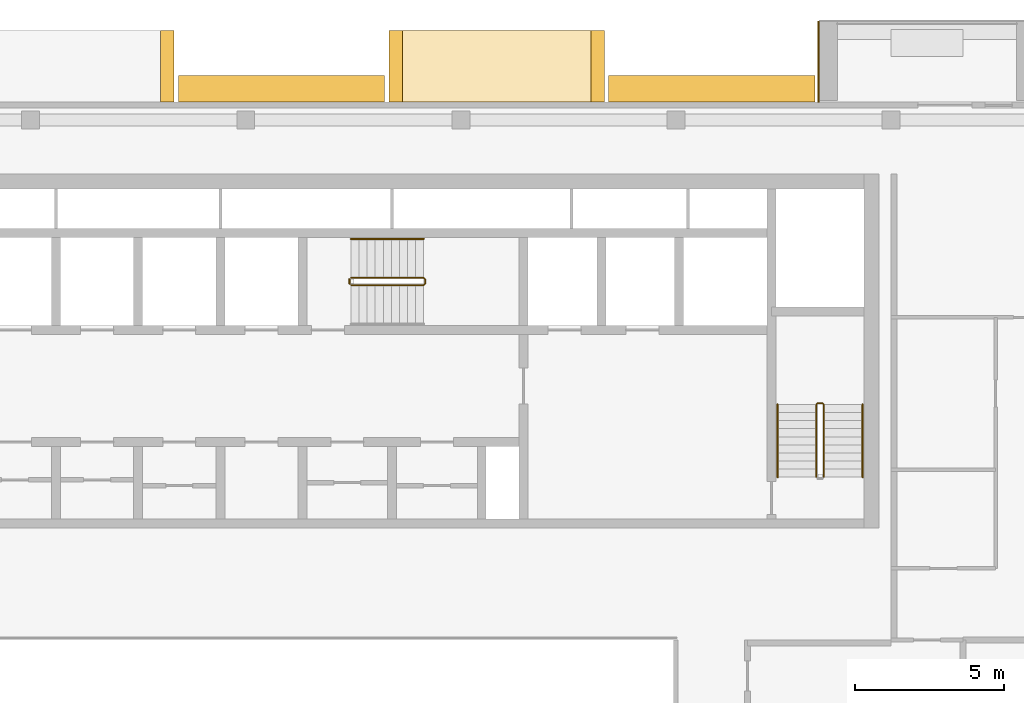
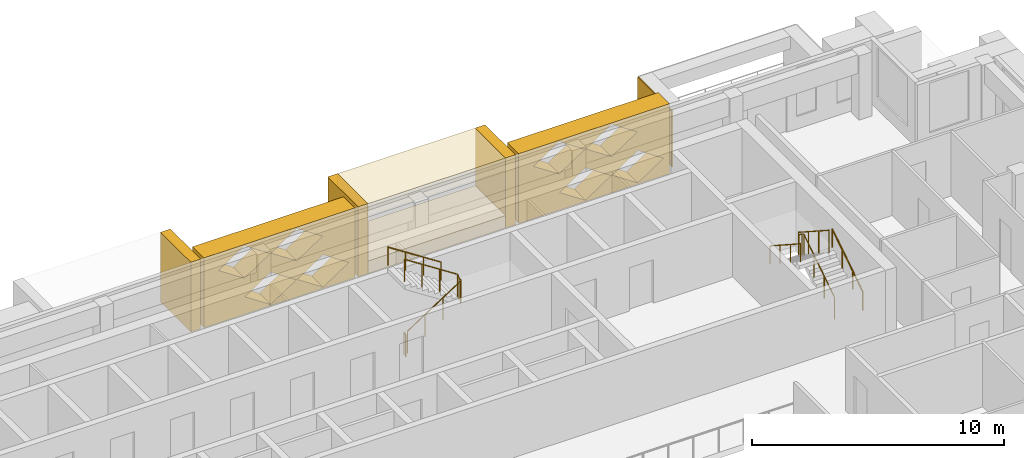
# One storey, part 18 of 19: 8 coverings, 6 railings.
"""IFC4 building model written with IfcOpenShell, lengths in metres."""

from ifc_helpers import new_model, si_unit, direction, frame, origin, origin_2d, place, context, subcontext, project, spatial, polyline, circle, outline, extrude, material, layer, layer_set, type_object, element, save


model = new_model("IFC4")

# Units and contexts
model_context = context("Model", 3, precision=1e-05, world=origin(), true_north=direction((0.0, 1.0)))
body_context = subcontext(model_context, "Body", "Model", "MODEL_VIEW")
ifc_project = project(units=[si_unit("LENGTHUNIT", "METRE"), si_unit("AREAUNIT", "SQUARE_METRE"), si_unit("VOLUMEUNIT", "CUBIC_METRE"), si_unit("PLANEANGLEUNIT", "RADIAN"), si_unit("MASSUNIT", "GRAM", prefix="KILO")], contexts=[model_context])

# Site, building, storey
site_placement = place(None, origin())
site = spatial("IfcSite", under=ifc_project, at=site_placement, CompositionType="ELEMENT")
building_placement = place(site_placement, origin())
building = spatial("IfcBuilding", under=site, at=building_placement, Name="Saffron Iwan Residences", CompositionType="ELEMENT")
storey_placement = place(building_placement, frame((0.0, 0.0, 267.5)))
storey = spatial("IfcBuildingStorey", under=building, at=storey_placement, Name="L72", CompositionType="ELEMENT", Elevation=267.5)

# Coverings
ifc_material_1 = material(Name="Precast concrete C40/50 white painted", Category="concrete")
ifc_layer = layer(ifc_material_1, 0.050048828125)
ifc_layer_set = layer_set([ifc_layer], Name="Precast concrete C40/50 white painted")
covering_type_1 = type_object("IfcCoveringType", Name="FRAME SKIN PRECAST WHITE 50", PredefinedType="CLADDING", material=ifc_layer_set)
covering_1_placement = place(storey_placement, origin())
element("IfcCovering", 1, at=covering_1_placement, inside=storey, type_object=covering_type_1, Name="Frame skin fin L72 F5-0b", PredefinedType="CLADDING", context=body_context, shape_type="SweptSolid", body=[
    extrude(outline(polyline([(69.60009765625, 83.10009765625), (69.550048828125, 83.10009765625), (69.550048828125, 80.39990234375), (69.60009765625, 80.39990234375), (69.60009765625, 83.10009765625)])), origin(), (0.0, 0.0, 1.0), 2.72900390625),
])
ifc_material_2 = material(Name="Precast concrete C40/50", Category="concrete")
covering_type_2 = type_object("IfcCoveringType", Name="OUTER SKIN LATTICE SCREEN", PredefinedType="CLADDING", material=ifc_material_2)
for number, where, z_axis, x_axis, name in (
    (2, (69.449951171875, 80.39990234375, -0.280029296875), (0.0, 1.0, 0.0), (-1.0, 0.0, 0.0), "OUTER SKIN lattice screen L72 F5.1"),
    (3, (55.050048828125, 80.39990234375, -0.280029296875), (0.0, 1.0, 0.0), (-1.0, 0.0, 0.0), "OUTER SKIN lattice screen L72 F5.2"),
):
    element("IfcCovering", number, at=place(storey_placement, frame(where, z_axis=z_axis, x_axis=x_axis)), inside=storey, type_object=covering_type_2, Name=name, PredefinedType="CLADDING", context=body_context, shape_type="SweptSolid", body=[
        extrude(outline(polyline([(0.0, 0.0), (6.89990234375, 0.0), (6.89990234375, 3.37890625), (0.0, 3.37890625), (0.0, 0.0)]), holes=[polyline([(0.27001953125, 0.8447265625), (1.449951171875, 0.06005859375), (2.6298828125, 0.8447265625), (1.449951171875, 1.62939453125), (0.27001953125, 0.8447265625)]), polyline([(2.669921875, 0.8447265625), (3.85009765625, 0.06005859375), (5.030029296875, 0.8447265625), (3.85009765625, 1.62939453125), (2.669921875, 0.8447265625)]), polyline([(1.469970703125, 2.5341796875), (2.64990234375, 1.74951171875), (3.830078125, 2.5341796875), (2.64990234375, 3.319091796875), (1.469970703125, 2.5341796875)]), polyline([(3.8701171875, 2.5341796875), (5.050048828125, 1.74951171875), (6.22998046875, 2.5341796875), (5.050048828125, 3.319091796875), (3.8701171875, 2.5341796875)])]), origin(), (0.0, 0.0, 1.0), 0.900146484375),
    ])

# Railings
ifc_material_3 = material(Name="Steel S355", Category="steel")
railing_type_1 = type_object("IfcRailingType", Name="Stair guard 1100", PredefinedType="GUARDRAIL", material=ifc_material_3)
railing_1_placement = place(storey_placement, frame((53.925048828125, 74.27490234375, 0.175048828125)))
element("IfcRailing", 4, at=railing_1_placement, inside=storey, type_object=railing_type_1, Name="L72 ST-C stair guard 1", PredefinedType="GUARDRAIL", context=body_context, shape_type="SweptSolid", body=[
    extrude(circle(Radius=0.02392578125, at=origin_2d()), frame((0.0, 0.0, 1.076171875), z_axis=(0.839153699163, 0.0, 0.543894354798), x_axis=(0.0, 1.0, 0.0)), (0.0, 0.0, 1.0), 2.895751953125),
    extrude(circle(Radius=0.02392578125, at=origin_2d()), frame((2.429931640625, 0.0, 2.65087890625), z_axis=(0.707106781187, 0.707106781187, 0.0), x_axis=(-0.707106781187, 0.707106781187, 0.0)), (0.0, 0.0, 1.0), 0.07080078125),
    extrude(circle(Radius=0.02392578125, at=origin_2d()), frame((2.47998046875, 0.050048828125, 2.65087890625), z_axis=(0.0, 1.0, 0.0), x_axis=(-1.0, 0.0, 0.0)), (0.0, 0.0, 1.0), 0.150146484375),
    extrude(circle(Radius=0.02392578125, at=origin_2d()), frame((2.47998046875, 0.2001953125, 2.65087890625), z_axis=(-0.265155923931, 0.263862480399, 0.927399011991), x_axis=(-0.705375805398, -0.708833529934, 0.0)), (0.0, 0.0, 1.0), 0.188720703125),
    extrude(circle(Radius=0.02392578125, at=origin_2d()), frame((2.429931640625, 0.25, 2.826171875), z_axis=(-0.839153699163, 0.0, 0.543894354798), x_axis=(0.0, -1.0, 0.0)), (0.0, 0.0, 1.0), 2.895751953125),
    extrude(circle(Radius=0.02099609375, at=origin_2d()), origin(), (0.0, 0.0, 1.0), 1.052001953125),
    extrude(circle(Radius=0.02099609375, at=origin_2d()), frame((0.81005859375, 0.0, 0.52490234375)), (0.0, 0.0, 1.0), 1.052001953125),
    extrude(circle(Radius=0.02099609375, at=origin_2d()), frame((1.619873046875, 0.0, 1.050048828125)), (0.0, 0.0, 1.0), 1.052001953125),
    extrude(circle(Radius=0.02099609375, at=origin_2d()), frame((2.429931640625, 0.0, 1.574951171875)), (0.0, 0.0, 1.0), 1.052001953125),
    extrude(circle(Radius=0.02099609375, at=origin_2d()), frame((2.47998046875, 0.050048828125, 1.574951171875)), (0.0, 0.0, 1.0), 1.052001953125),
    extrude(circle(Radius=0.02099609375, at=origin_2d()), frame((2.47998046875, 0.2001953125, 1.574951171875)), (0.0, 0.0, 1.0), 1.052001953125),
    extrude(circle(Radius=0.02099609375, at=origin_2d()), frame((2.429931640625, 0.25, 1.75)), (0.0, 0.0, 1.0), 1.052001953125),
    extrude(circle(Radius=0.02099609375, at=origin_2d()), frame((1.619873046875, 0.25, 2.27490234375)), (0.0, 0.0, 1.0), 1.052001953125),
    extrude(circle(Radius=0.02099609375, at=origin_2d()), frame((0.81005859375, 0.25, 2.800048828125)), (0.0, 0.0, 1.0), 1.052001953125),
    extrude(circle(Radius=0.02099609375, at=origin_2d()), frame((0.0, 0.25, 3.324951171875)), (0.0, 0.0, 1.0), 1.052001953125),
])
railing_2_placement = place(storey_placement, frame((53.875, 74.324951171875, 0.0)))
element("IfcRailing", 5, at=railing_2_placement, inside=storey, type_object=railing_type_1, Name="L72 ST-C stair guard 2", PredefinedType="GUARDRAIL", context=body_context, shape_type="SweptSolid", body=[
    extrude(circle(Radius=0.02392578125, at=origin_2d()), frame((0.0, 0.0, 1.076171875), z_axis=(0.0, 1.0, 0.0), x_axis=(-1.0, 0.0, 0.0)), (0.0, 0.0, 1.0), 0.150146484375),
    extrude(circle(Radius=0.02099609375, at=origin_2d()), origin(), (0.0, 0.0, 1.0), 1.052001953125),
    extrude(circle(Radius=0.02099609375, at=origin_2d()), frame((0.0, 0.150146484375, 0.0)), (0.0, 0.0, 1.0), 1.052001953125),
])
railing_3_placement = place(storey_placement, frame((69.75, 67.85009765625, 0.175048828125)))
element("IfcRailing", 6, at=railing_3_placement, inside=storey, type_object=railing_type_1, Name="L72 ST-E stair guard 1", PredefinedType="GUARDRAIL", context=body_context, shape_type="SweptSolid", body=[
    extrude(circle(Radius=0.02392578125, at=origin_2d()), frame((0.0, 0.0, 1.076171875), z_axis=(0.0, 0.839153699163, 0.543894354798), x_axis=(-1.0, 0.0, 0.0)), (0.0, 0.0, 1.0), 2.895751953125),
    extrude(circle(Radius=0.02392578125, at=origin_2d()), frame((0.0, 2.429931640625, 2.65087890625), z_axis=(-0.707106781187, 0.707106781187, 0.0), x_axis=(-0.707106781187, -0.707106781187, 0.0)), (0.0, 0.0, 1.0), 0.07080078125),
    extrude(circle(Radius=0.02392578125, at=origin_2d()), frame((-0.050048828125, 2.47998046875, 2.65087890625), z_axis=(-1.0, 0.0, 0.0), x_axis=(0.0, -1.0, 0.0)), (0.0, 0.0, 1.0), 0.14990234375),
    extrude(circle(Radius=0.02392578125, at=origin_2d()), frame((-0.199951171875, 2.47998046875, 2.65087890625), z_axis=(-0.265065253269, -0.265065253269, 0.927081885822), x_axis=(0.707106781187, -0.707106781187, 0.0)), (0.0, 0.0, 1.0), 0.188720703125),
    extrude(circle(Radius=0.02392578125, at=origin_2d()), frame((-0.25, 2.429931640625, 2.826171875), z_axis=(0.0, -0.839153699163, 0.543894354798), x_axis=(1.0, 0.0, 0.0)), (0.0, 0.0, 1.0), 2.895751953125),
    extrude(circle(Radius=0.02099609375, at=origin_2d()), origin(), (0.0, 0.0, 1.0), 1.052001953125),
    extrude(circle(Radius=0.02099609375, at=origin_2d()), frame((0.0, 0.81005859375, 0.52490234375)), (0.0, 0.0, 1.0), 1.052001953125),
    extrude(circle(Radius=0.02099609375, at=origin_2d()), frame((0.0, 1.619873046875, 1.050048828125)), (0.0, 0.0, 1.0), 1.052001953125),
    extrude(circle(Radius=0.02099609375, at=origin_2d()), frame((0.0, 2.429931640625, 1.574951171875)), (0.0, 0.0, 1.0), 1.052001953125),
    extrude(circle(Radius=0.02099609375, at=origin_2d()), frame((-0.050048828125, 2.47998046875, 1.574951171875)), (0.0, 0.0, 1.0), 1.052001953125),
    extrude(circle(Radius=0.02099609375, at=origin_2d()), frame((-0.199951171875, 2.47998046875, 1.574951171875)), (0.0, 0.0, 1.0), 1.052001953125),
    extrude(circle(Radius=0.02099609375, at=origin_2d()), frame((-0.25, 2.429931640625, 1.75)), (0.0, 0.0, 1.0), 1.052001953125),
    extrude(circle(Radius=0.02099609375, at=origin_2d()), frame((-0.25, 1.619873046875, 2.27490234375)), (0.0, 0.0, 1.0), 1.052001953125),
    extrude(circle(Radius=0.02099609375, at=origin_2d()), frame((-0.25, 0.81005859375, 2.800048828125)), (0.0, 0.0, 1.0), 1.052001953125),
    extrude(circle(Radius=0.02099609375, at=origin_2d()), frame((-0.25, 0.0, 3.324951171875)), (0.0, 0.0, 1.0), 1.052001953125),
])
ifc_material_4 = material(Name="Stainless steel 316", Category="steel")
railing_type_2 = type_object("IfcRailingType", Name="Stair handrail 900", PredefinedType="HANDRAIL", material=ifc_material_4)
railing_4_placement = place(storey_placement, frame((56.35498046875, 75.824951171875, 1.925048828125)))
element("IfcRailing", 7, at=railing_4_placement, inside=storey, type_object=railing_type_2, Name="L72 ST-C stair handrail 2", PredefinedType="HANDRAIL", context=body_context, shape_type="SweptSolid", body=[
    extrude(circle(Radius=0.02392578125, at=origin_2d()), frame((0.0, 0.0, 0.8759765625), z_axis=(-0.839153699163, 0.0, 0.543894354798), x_axis=(0.0, -1.0, 0.0)), (0.0, 0.0, 1.0), 2.895751953125),
    extrude(circle(Radius=0.02099609375, at=origin_2d()), origin(), (0.0, 0.0, 1.0), 0.851806640625),
    extrude(circle(Radius=0.02099609375, at=origin_2d()), frame((-0.81005859375, 0.0, 0.52490234375)), (0.0, 0.0, 1.0), 0.851806640625),
    extrude(circle(Radius=0.02099609375, at=origin_2d()), frame((-1.619873046875, 0.0, 1.050048828125)), (0.0, 0.0, 1.0), 0.851806640625),
    extrude(circle(Radius=0.02099609375, at=origin_2d()), frame((-2.429931640625, 0.0, 1.574951171875)), (0.0, 0.0, 1.0), 0.851806640625),
])
railing_5_placement = place(storey_placement, frame((71.050048828125, 67.85009765625, 0.175048828125)))
element("IfcRailing", 8, at=railing_5_placement, inside=storey, type_object=railing_type_2, Name="L72 ST-E stair handrail 1", PredefinedType="HANDRAIL", context=body_context, shape_type="SweptSolid", body=[
    extrude(circle(Radius=0.02392578125, at=origin_2d()), frame((0.0, 0.0, 0.8759765625), z_axis=(0.0, 0.839153699163, 0.543894354798), x_axis=(-1.0, 0.0, 0.0)), (0.0, 0.0, 1.0), 2.895751953125),
    extrude(circle(Radius=0.02099609375, at=origin_2d()), origin(), (0.0, 0.0, 1.0), 0.851806640625),
    extrude(circle(Radius=0.02099609375, at=origin_2d()), frame((0.0, 0.81005859375, 0.52490234375)), (0.0, 0.0, 1.0), 0.851806640625),
    extrude(circle(Radius=0.02099609375, at=origin_2d()), frame((0.0, 1.619873046875, 1.050048828125)), (0.0, 0.0, 1.0), 0.851806640625),
    extrude(circle(Radius=0.02099609375, at=origin_2d()), frame((0.0, 2.429931640625, 1.574951171875)), (0.0, 0.0, 1.0), 0.851806640625),
])
railing_6_placement = place(storey_placement, frame((68.199951171875, 70.280029296875, 1.925048828125)))
element("IfcRailing", 9, at=railing_6_placement, inside=storey, type_object=railing_type_2, Name="L72 ST-E stair handrail 2", PredefinedType="HANDRAIL", context=body_context, shape_type="SweptSolid", body=[
    extrude(circle(Radius=0.02392578125, at=origin_2d()), frame((0.0, 0.0, 0.8759765625), z_axis=(0.0, -0.839153699163, 0.543894354798), x_axis=(1.0, 0.0, 0.0)), (0.0, 0.0, 1.0), 2.895751953125),
    extrude(circle(Radius=0.02099609375, at=origin_2d()), origin(), (0.0, 0.0, 1.0), 0.851806640625),
    extrude(circle(Radius=0.02099609375, at=origin_2d()), frame((0.0, -0.81005859375, 0.52490234375)), (0.0, 0.0, 1.0), 0.851806640625),
    extrude(circle(Radius=0.02099609375, at=origin_2d()), frame((0.0, -1.619873046875, 1.050048828125)), (0.0, 0.0, 1.0), 0.851806640625),
    extrude(circle(Radius=0.02099609375, at=origin_2d()), frame((0.0, -2.429931640625, 1.574951171875)), (0.0, 0.0, 1.0), 0.851806640625),
])

# Coverings
covering_type_3 = type_object("IfcCoveringType", Name="WHITE SUN FRAME PRECAST", PredefinedType="CLADDING", material=ifc_material_1)
for number, where, z_axis, x_axis, name in (
    (10, (62.39990234375, 80.39990234375, -0.280029296875), (0.0, 1.0, 0.0), (-1.0, 0.0, 0.0), "Sun frame L72 F5 16.4a"),
    (11, (55.64990234375, 80.39990234375, -0.280029296875), (0.0, 1.0, 0.0), (-1.0, 0.0, 0.0), "Sun frame L72 F5 16.4b"),
):
    element("IfcCovering", number, at=place(storey_placement, frame(where, z_axis=z_axis, x_axis=x_axis)), inside=storey, type_object=covering_type_3, Name=name, PredefinedType="CLADDING", context=body_context, shape_type="SweptSolid", body=[
        extrude(outline(polyline([(0.0, 0.0), (0.449951171875, 0.0), (0.449951171875, 3.37890625), (0.0, 3.37890625), (0.0, 0.0)])), origin(), (0.0, 0.0, 1.0), 2.400146484375),
    ])
for number, where, z_axis, x_axis, name in (
    (12, (61.949951171875, 80.39990234375, 2.4990234375), (0.0, 1.0, 0.0), (-1.0, 0.0, 0.0), "Sun frame L72 F5 16.4h"),
    (13, (61.949951171875, 80.39990234375, -0.280029296875), (0.0, 1.0, 0.0), (-1.0, 0.0, 0.0), "Sun frame L72 F5 16.4s"),
):
    element("IfcCovering", number, at=place(storey_placement, frame(where, z_axis=z_axis, x_axis=x_axis)), inside=storey, type_object=covering_type_3, Name=name, PredefinedType="CLADDING", context=body_context, shape_type="SweptSolid", body=[
        extrude(outline(polyline([(0.0, 0.0), (6.300048828125, 0.0), (6.300048828125, 0.60009765625), (0.0, 0.60009765625), (0.0, 0.0)])), origin(), (0.0, 0.0, 1.0), 2.400146484375),
    ])
covering_2_placement = place(storey_placement, frame((48.0, 80.39990234375, -0.280029296875), z_axis=(0.0, 1.0, 0.0), x_axis=(-1.0, 0.0, 0.0)))
element("IfcCovering", 14, at=covering_2_placement, inside=storey, type_object=covering_type_3, Name="Sun frame L72 F5 30.8a", PredefinedType="CLADDING", context=body_context, shape_type="SweptSolid", body=[
    extrude(outline(polyline([(0.0, 0.0), (0.449951171875, 0.0), (0.449951171875, 3.37890625), (0.0, 3.37890625), (0.0, 0.0)])), origin(), (0.0, 0.0, 1.0), 2.400146484375),
])

save(model, "model.ifc")
